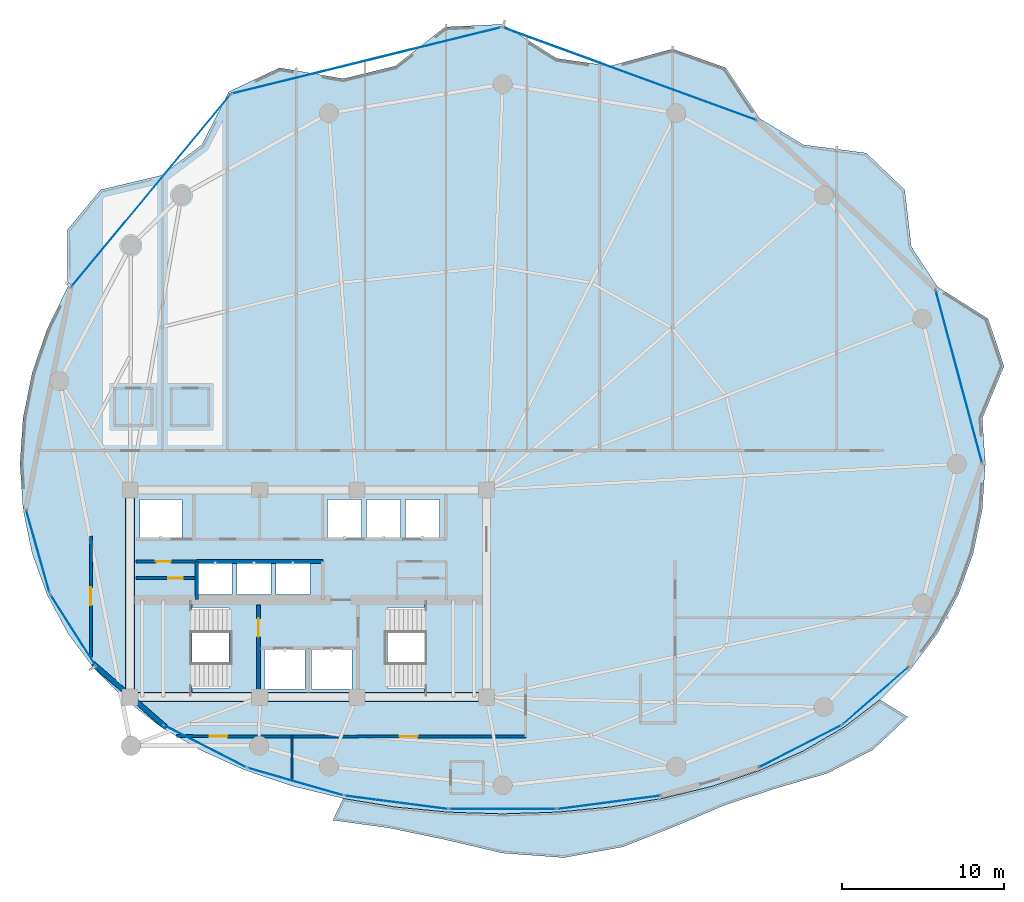
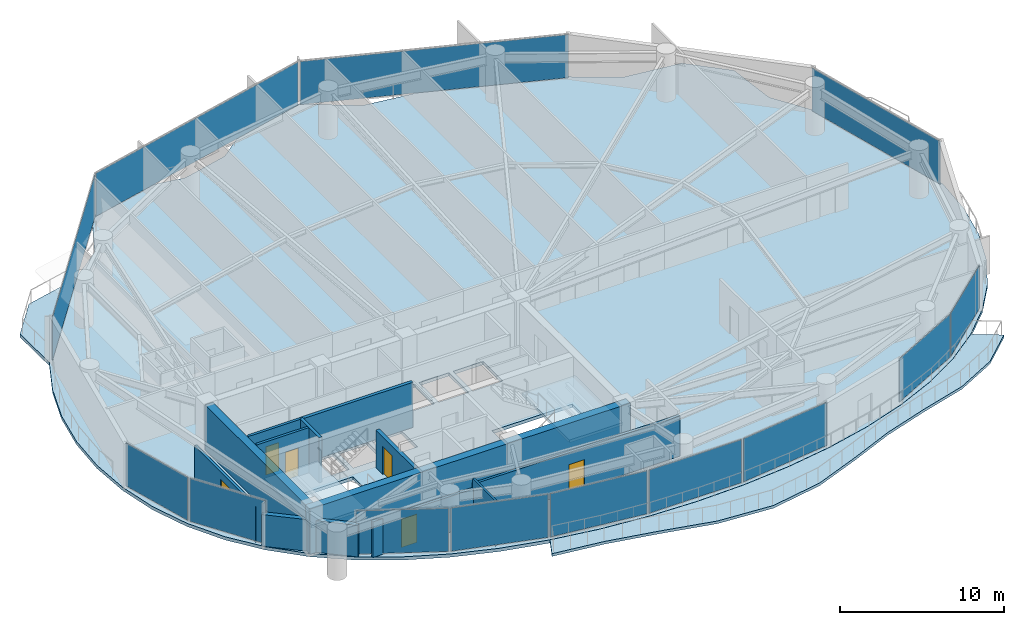
# One storey, part 22 of 28: 13 plates, 12 walls, 6 doors, 4 slabs, 6 openings, 15 elements without a shape of their own.
"""IFC4 building model written with IfcOpenShell, lengths in metres."""

from ifc_helpers import new_model, si_unit, direction, frame, frame_2d, origin, origin_2d, place, context, subcontext, project, spatial, polyline, rectangle, outline, extrude, material, layer, layer_set, type_object, element, fill, aggregate, save


model = new_model("IFC4")

# Units and contexts
model_context = context("Model", 3, precision=1e-05, world=origin(), true_north=direction((0.0, 1.0)))
body_context = subcontext(model_context, "Body", "Model", "MODEL_VIEW")
ifc_project = project(units=[si_unit("LENGTHUNIT", "METRE"), si_unit("AREAUNIT", "SQUARE_METRE"), si_unit("VOLUMEUNIT", "CUBIC_METRE"), si_unit("PLANEANGLEUNIT", "RADIAN"), si_unit("MASSUNIT", "GRAM", prefix="KILO")], contexts=[model_context])

# Site, building, storey
site_placement = place(None, origin())
site = spatial("IfcSite", under=ifc_project, at=site_placement, CompositionType="ELEMENT")
building_placement = place(site_placement, origin())
building = spatial("IfcBuilding", under=site, at=building_placement, Name="Kazevale Care Tower and Concert Hall", CompositionType="ELEMENT")
storey_placement = place(building_placement, frame((0.0, 0.0, 109.800048828125)))
storey = spatial("IfcBuildingStorey", under=building, at=storey_placement, Name="L28", CompositionType="ELEMENT", Elevation=109.800048828125)

# Curtain wall, plate
ifc_material_1 = material(Name="Aluminium 6063-T6 and Low-E Glass", Category="aluminium")
ifc_layer_1 = layer(ifc_material_1, 0.179931640625)
ifc_layer_set_1 = layer_set([ifc_layer_1], Name="Aluminium 6063-T6 and Low-E Glass")
curtain_wall_type_1 = type_object("IfcCurtainWallType", Name="Convex Checkerboard Finned Curtain Wall CW-2", PredefinedType="NOTDEFINED", material=ifc_layer_set_1)
curtain_wall_1_placement = place(storey_placement, origin())
curtain_wall_1 = element("IfcCurtainWall", 1, at=curtain_wall_1_placement, inside=storey, type_object=curtain_wall_type_1, Name="cw:L28:f14", PredefinedType="NOTDEFINED")
ifc_material_2 = material(Name="Low-E Laminated Glass", Category="glass")
ifc_layer_2 = layer(ifc_material_2, 0.028076171875)
ifc_layer_set_2 = layer_set([ifc_layer_2], Name="Low-E Laminated Glass")
plate_type_1 = type_object("IfcPlateType", Name="CW-2 Low-E Glazing Panel 28mm", PredefinedType="CURTAIN_PANEL", material=ifc_layer_set_2)
plate_1_placement = place(storey_placement, frame((23.285888671875, 54.87255859375, 0.074951171875), z_axis=(0.0, 0.0, 1.0), x_axis=(0.637984048061, 0.770049579196, 0.0)))
plate_1 = element("IfcPlate", 2, at=plate_1_placement, type_object=plate_type_1, Name="CW-2 panel 1.1", PredefinedType="CURTAIN_PANEL", context=body_context, shape_type="SweptSolid", body=[
    extrude(rectangle(XDim=15.3701171875, YDim=0.028076171875, at=origin_2d()), origin(), (0.0, 0.0, 1.0), 3.2099609375),
])
aggregate(curtain_wall_1, [plate_1])

curtain_wall_2_placement = place(storey_placement, origin())
curtain_wall_2 = element("IfcCurtainWall", 3, at=curtain_wall_2_placement, inside=storey, type_object=curtain_wall_type_1, Name="cw:L28:f16", PredefinedType="NOTDEFINED")
plate_2_placement = place(storey_placement, frame((52.839599609375, 62.08544921875, 0.074951171875), z_axis=(0.0, 0.0, 1.0), x_axis=(0.939283008641, -0.343143453498, 0.0)))
plate_2 = element("IfcPlate", 4, at=plate_2_placement, type_object=plate_type_1, Name="CW-2 panel 1.1", PredefinedType="CURTAIN_PANEL", context=body_context, shape_type="SweptSolid", body=[
    extrude(rectangle(XDim=16.634765625, YDim=0.028076171875, at=origin_2d()), origin(), (0.0, 0.0, 1.0), 3.2099609375),
])
aggregate(curtain_wall_2, [plate_2])

ifc_layer_3 = layer(ifc_material_1, 0.179931640625)
ifc_layer_set_3 = layer_set([ifc_layer_3], Name="Aluminium 6063-T6 and Low-E Glass")
curtain_wall_type_2 = type_object("IfcCurtainWallType", Name="Convex Recessed Sunroom Curtain Wall CW-3", PredefinedType="NOTDEFINED", material=ifc_layer_set_3)
curtain_wall_3_placement = place(storey_placement, origin())
curtain_wall_3 = element("IfcCurtainWall", 5, at=curtain_wall_3_placement, inside=storey, type_object=curtain_wall_type_2, Name="cw:L28:f15", PredefinedType="NOTDEFINED")
ifc_layer_4 = layer(ifc_material_2, 0.028076171875)
ifc_layer_set_4 = layer_set([ifc_layer_4], Name="Low-E Laminated Glass")
plate_type_2 = type_object("IfcPlateType", Name="CW-3 Low-E Glazing Panel 28mm", PredefinedType="CURTAIN_PANEL", material=ifc_layer_set_4)
plate_3_placement = place(storey_placement, frame((36.595947265625, 62.909423828125, 0.074951171875), z_axis=(0.0, 0.0, 1.0), x_axis=(0.970997657217, 0.239088999495, 0.0)))
plate_3 = element("IfcPlate", 6, at=plate_3_placement, type_object=plate_type_2, Name="CW-3 panel 1.1", PredefinedType="CURTAIN_PANEL", context=body_context, shape_type="SweptSolid", body=[
    extrude(rectangle(XDim=17.061279296875, YDim=0.028076171875, at=origin_2d()), origin(), (0.0, 0.0, 1.0), 3.2099609375),
])
aggregate(curtain_wall_3, [plate_3])

ifc_layer_5 = layer(ifc_material_1, 0.179931640625)
ifc_layer_set_5 = layer_set([ifc_layer_5], Name="Aluminium 6063-T6 and Low-E Glass")
curtain_wall_type_3 = type_object("IfcCurtainWallType", Name="Waist & Upper Residential Curtain Wall CW-4", PredefinedType="NOTDEFINED", material=ifc_layer_set_5)
curtain_wall_4_placement = place(storey_placement, origin())
curtain_wall_4 = element("IfcCurtainWall", 7, at=curtain_wall_4_placement, inside=storey, type_object=curtain_wall_type_3, Name="cw:L28:f11", PredefinedType="NOTDEFINED")
ifc_layer_6 = layer(ifc_material_2, 0.030029296875)
ifc_layer_set_6 = layer_set([ifc_layer_6], Name="Low-E Laminated Glass")
plate_type_3 = type_object("IfcPlateType", Name="CW-4 Low-E Glazing Panel 30mm", PredefinedType="CURTAIN_PANEL", material=ifc_layer_set_6)
plate_4_placement = place(storey_placement, frame((18.470458984375, 27.75244140625, 0.080078125), z_axis=(0.0, 0.0, 1.0), x_axis=(-0.537239193981, 0.843429930967, 0.0)))
plate_4 = element("IfcPlate", 8, at=plate_4_placement, type_object=plate_type_3, Name="CW-4 panel 1.1", PredefinedType="CURTAIN_PANEL", context=body_context, shape_type="SweptSolid", body=[
    extrude(rectangle(XDim=5.176513671875, YDim=0.030029296875, at=origin_2d()), origin(), (0.0, 0.0, 1.0), 3.199951171875),
])
aggregate(curtain_wall_4, [plate_4])

curtain_wall_5_placement = place(storey_placement, origin())
curtain_wall_5 = element("IfcCurtainWall", 9, at=curtain_wall_5_placement, inside=storey, type_object=curtain_wall_type_3, Name="cw:L28:f12", PredefinedType="NOTDEFINED")
plate_5_placement = place(storey_placement, frame((16.301513671875, 32.612548828125, 0.080078125), z_axis=(0.0, 0.0, 1.0), x_axis=(-0.271284948278, 0.962499078876, 0.0)))
plate_5 = element("IfcPlate", 10, at=plate_5_placement, type_object=plate_type_3, Name="CW-4 panel 1.1", PredefinedType="CURTAIN_PANEL", context=body_context, shape_type="SweptSolid", body=[
    extrude(rectangle(XDim=5.262451171875, YDim=0.030029296875, at=origin_2d()), origin(), (0.0, 0.0, 1.0), 3.199951171875),
])
aggregate(curtain_wall_5, [plate_5])

curtain_wall_6_placement = place(storey_placement, origin())
curtain_wall_6 = element("IfcCurtainWall", 11, at=curtain_wall_6_placement, inside=storey, type_object=curtain_wall_type_3, Name="cw:L28:f18", PredefinedType="NOTDEFINED")
plate_6_placement = place(storey_placement, frame((73.169921875, 43.401611328125, 0.080078125), z_axis=(0.0, 0.0, 1.0), x_axis=(0.259264848961, -0.965806263229, 0.0)))
plate_6 = element("IfcPlate", 12, at=plate_6_placement, type_object=plate_type_3, Name="CW-4 panel 1.1", PredefinedType="CURTAIN_PANEL", context=body_context, shape_type="SweptSolid", body=[
    extrude(rectangle(XDim=11.025390625, YDim=0.030029296875, at=origin_2d()), origin(), (0.0, 0.0, 1.0), 3.199951171875),
])
aggregate(curtain_wall_6, [plate_6])

ifc_layer_7 = layer(ifc_material_1, 0.179931640625)
ifc_layer_set_7 = layer_set([ifc_layer_7], Name="Aluminium 6063-T6 and Low-E Glass")
curtain_wall_type_4 = type_object("IfcCurtainWallType", Name="Sheltered Concave Balcony Curtain Wall CW-5", PredefinedType="NOTDEFINED", material=ifc_layer_set_7)
curtain_wall_7_placement = place(storey_placement, origin())
curtain_wall_7 = element("IfcCurtainWall", 13, at=curtain_wall_7_placement, inside=storey, type_object=curtain_wall_type_4, Name="cw:L28:f02", PredefinedType="NOTDEFINED")
ifc_layer_8 = layer(ifc_material_2, 0.02587890625)
ifc_layer_set_8 = layer_set([ifc_layer_8], Name="Low-E Laminated Glass")
plate_type_4 = type_object("IfcPlateType", Name="CW-5 Low-E Glazing Panel 26mm", PredefinedType="CURTAIN_PANEL", material=ifc_layer_set_8)
plate_7_placement = place(storey_placement, frame((68.033447265625, 23.699951171875, 0.074951171875), z_axis=(0.0, 0.0, 1.0), x_axis=(-0.753062779437, -0.657948668382, 0.0)))
plate_7 = element("IfcPlate", 14, at=plate_7_placement, type_object=plate_type_4, Name="CW-5 panel 1.1", PredefinedType="CURTAIN_PANEL", context=body_context, shape_type="SweptSolid", body=[
    extrude(rectangle(XDim=5.32763671875, YDim=0.02587890625, at=origin_2d()), origin(), (0.0, 0.0, 1.0), 3.2099609375),
])
aggregate(curtain_wall_7, [plate_7])

curtain_wall_8_placement = place(storey_placement, origin())
curtain_wall_8 = element("IfcCurtainWall", 15, at=curtain_wall_8_placement, inside=storey, type_object=curtain_wall_type_4, Name="cw:L28:f03", PredefinedType="NOTDEFINED")
plate_8_placement = place(storey_placement, frame((63.3798828125, 20.571533203125, 0.074951171875), z_axis=(0.0, 0.0, 1.0), x_axis=(-0.890126646051, -0.455713236575, 0.0)))
plate_8 = element("IfcPlate", 16, at=plate_8_placement, type_object=plate_type_4, Name="CW-5 panel 1.1", PredefinedType="CURTAIN_PANEL", context=body_context, shape_type="SweptSolid", body=[
    extrude(rectangle(XDim=5.671630859375, YDim=0.02587890625, at=origin_2d()), origin(), (0.0, 0.0, 1.0), 3.2099609375),
])
aggregate(curtain_wall_8, [plate_8])

curtain_wall_9_placement = place(storey_placement, origin())
curtain_wall_9 = element("IfcCurtainWall", 17, at=curtain_wall_9_placement, inside=storey, type_object=curtain_wall_type_4, Name="cw:L28:f05", PredefinedType="NOTDEFINED")
plate_9_placement = place(storey_placement, frame((51.5654296875, 17.1044921875, 0.074951171875), z_axis=(0.0, 0.0, 1.0), x_axis=(-0.991685519364, -0.12868500567, 0.0)))
plate_9 = element("IfcPlate", 18, at=plate_9_placement, type_object=plate_type_4, Name="CW-5 panel 1.1", PredefinedType="CURTAIN_PANEL", context=body_context, shape_type="SweptSolid", body=[
    extrude(rectangle(XDim=6.38525390625, YDim=0.02587890625, at=origin_2d()), origin(), (0.0, 0.0, 1.0), 3.2099609375),
])
aggregate(curtain_wall_9, [plate_9])

curtain_wall_10_placement = place(storey_placement, origin())
curtain_wall_10 = element("IfcCurtainWall", 19, at=curtain_wall_10_placement, inside=storey, type_object=curtain_wall_type_4, Name="cw:L28:f06", PredefinedType="NOTDEFINED")
plate_10_placement = place(storey_placement, frame((45.0, 16.68408203125, 0.074951171875), z_axis=(0.0, 0.0, 1.0), x_axis=(-1.0, 0.0, 0.0)))
plate_10 = element("IfcPlate", 20, at=plate_10_placement, type_object=plate_type_4, Name="CW-5 panel 1.1", PredefinedType="CURTAIN_PANEL", context=body_context, shape_type="SweptSolid", body=[
    extrude(rectangle(XDim=6.5, YDim=0.02587890625, at=origin_2d()), origin(), (0.0, 0.0, 1.0), 3.2099609375),
])
aggregate(curtain_wall_10, [plate_10])

curtain_wall_11_placement = place(storey_placement, origin())
curtain_wall_11 = element("IfcCurtainWall", 21, at=curtain_wall_11_placement, inside=storey, type_object=curtain_wall_type_4, Name="cw:L28:f07", PredefinedType="NOTDEFINED")
plate_11_placement = place(storey_placement, frame((38.4345703125, 17.1044921875, 0.074951171875), z_axis=(0.0, 0.0, 1.0), x_axis=(-0.991685519364, 0.12868500567, 0.0)))
plate_11 = element("IfcPlate", 22, at=plate_11_placement, type_object=plate_type_4, Name="CW-5 panel 1.1", PredefinedType="CURTAIN_PANEL", context=body_context, shape_type="SweptSolid", body=[
    extrude(rectangle(XDim=6.38525390625, YDim=0.02587890625, at=origin_2d()), origin(), (0.0, 0.0, 1.0), 3.2099609375),
])
aggregate(curtain_wall_11, [plate_11])

curtain_wall_12_placement = place(storey_placement, origin())
curtain_wall_12 = element("IfcCurtainWall", 23, at=curtain_wall_12_placement, inside=storey, type_object=curtain_wall_type_4, Name="cw:L28:f08", PredefinedType="NOTDEFINED")
plate_12_placement = place(storey_placement, frame((32.202392578125, 18.385009765625, 0.074951171875), z_axis=(0.0, 0.0, 1.0), x_axis=(-0.961074102639, 0.276290733172, 0.0)))
plate_12 = element("IfcPlate", 24, at=plate_12_placement, type_object=plate_type_4, Name="CW-5 panel 1.1", PredefinedType="CURTAIN_PANEL", context=body_context, shape_type="SweptSolid", body=[
    extrude(rectangle(XDim=6.075439453125, YDim=0.02587890625, at=origin_2d()), origin(), (0.0, 0.0, 1.0), 3.2099609375),
])
aggregate(curtain_wall_12, [plate_12])

curtain_wall_13_placement = place(storey_placement, origin())
curtain_wall_13 = element("IfcCurtainWall", 25, at=curtain_wall_13_placement, inside=storey, type_object=curtain_wall_type_4, Name="cw:L28:f09", PredefinedType="NOTDEFINED")
plate_13_placement = place(storey_placement, frame((26.6201171875, 20.571533203125, 0.074951171875), z_axis=(0.0, 0.0, 1.0), x_axis=(-0.890126646051, 0.455713236575, 0.0)))
plate_13 = element("IfcPlate", 26, at=plate_13_placement, type_object=plate_type_4, Name="CW-5 panel 1.1", PredefinedType="CURTAIN_PANEL", context=body_context, shape_type="SweptSolid", body=[
    extrude(rectangle(XDim=5.671630859375, YDim=0.02587890625, at=origin_2d()), origin(), (0.0, 0.0, 1.0), 3.2099609375),
])
aggregate(curtain_wall_13, [plate_13])

# Slab
ifc_material_3 = material(Name="Concrete C40", Category="concrete")
ifc_layer_9 = layer(ifc_material_3, 0.199951171875)
ifc_layer_set_9 = layer_set([ifc_layer_9], Name="Concrete C40")
slab_type_1 = type_object("IfcSlabType", Name="Sinusoidal Concave Balcony Slab 200", PredefinedType="USERDEFINED", material=ifc_layer_set_9)
slab_1_placement = place(storey_placement, frame((0.0, 0.0, -0.199951171875)))
element("IfcSlab", 27, at=slab_1_placement, inside=storey, type_object=slab_type_1, Name="slab:L28:bal", ObjectType="BALCONY", PredefinedType="USERDEFINED", context=body_context, shape_type="SweptSolid", body=[
    extrude(outline(polyline([(70.01611328125, 22.373779296875), (67.86767578125, 20.36279296875), (65.04345703125, 18.8974609375), (61.798583984375, 17.95068359375), (58.68994140625, 16.928466796875), (55.659423828125, 15.633544921875), (52.4033203125, 14.35205078125), (48.772705078125, 13.693603515625), (45.0, 13.97412109375), (41.401611328125, 14.816162109375), (37.965576171875, 15.530517578125), (34.51708984375, 16.00390625), (35.155517578125, 17.343505859375), (35.15673828125, 17.34326171875), (38.368408203125, 16.81396484375), (41.6630859375, 16.49951171875), (45.0, 16.39501953125), (48.3369140625, 16.49951171875), (51.631591796875, 16.81396484375), (54.84326171875, 17.34326171875), (57.93115234375, 18.09375), (60.8564453125, 19.07275390625), (63.582275390625, 20.28759765625), (66.07470703125, 21.74365234375), (68.302001953125, 23.442626953125), (68.302978515625, 23.44384765625), (70.01611328125, 22.373779296875)])), origin(), (0.0, 0.0, 1.0), 0.199951171875),
])

# Stair, slab
stair_type = type_object("IfcStairType", Name="Exit Stair Assembly ST1-Z2", PredefinedType="HALF_TURN_STAIR", material=ifc_material_3)
stair_1_placement = place(storey_placement, origin())
stair_1 = element("IfcStair", 28, at=stair_1_placement, inside=storey, type_object=stair_type, Name="stair:L28:ST1", PredefinedType="HALF_TURN_STAIR")
ifc_layer_10 = layer(ifc_material_3, 0.199951171875)
ifc_layer_set_10 = layer_set([ifc_layer_10], Name="Concrete C40")
slab_type_2 = type_object("IfcSlabType", Name="Stair Half-Landing Slab ST1-Z2", PredefinedType="LANDING", material=ifc_layer_set_10)
slab_2_placement = place(storey_placement, frame((0.0, 0.0, 1.599853515625)))
slab_2 = element("IfcSlab", 29, at=slab_2_placement, type_object=slab_type_2, Name="ST1-Z2 landing 1", PredefinedType="LANDING", context=body_context, shape_type="SweptSolid", body=[
    extrude(outline(polyline([(22.050048828125, 23.699951171875), (25.81005859375, 23.699951171875), (25.81005859375, 29.5), (22.050048828125, 29.5), (22.050048828125, 23.699951171875)])), origin(), (0.0, 0.0, 1.0), 0.2001953125),
])
aggregate(stair_1, [slab_2])

stair_2_placement = place(storey_placement, origin())
stair_2 = element("IfcStair", 30, at=stair_2_placement, inside=storey, type_object=stair_type, Name="stair:L28:ST2", PredefinedType="HALF_TURN_STAIR")
slab_3_placement = place(storey_placement, frame((0.0, 0.0, 1.599853515625)))
slab_3 = element("IfcSlab", 31, at=slab_3_placement, type_object=slab_type_2, Name="ST1-Z2 landing 1", PredefinedType="LANDING", context=body_context, shape_type="SweptSolid", body=[
    extrude(outline(polyline([(40.18994140625, 23.699951171875), (43.949951171875, 23.699951171875), (43.949951171875, 29.5), (40.18994140625, 29.5), (40.18994140625, 23.699951171875)])), origin(), (0.0, 0.0, 1.0), 0.2001953125),
])
aggregate(stair_2, [slab_3])

# Slab
ifc_layer_11 = layer(ifc_material_3, 0.239990234375)
ifc_layer_set_11 = layer_set([ifc_layer_11], Name="Concrete C40")
slab_type_3 = type_object("IfcSlabType", Name="Tower Typical Floor Slab 240", PredefinedType="FLOOR", material=ifc_layer_set_11)
slab_4_placement = place(storey_placement, frame((0.0, 0.0, -0.239990234375)))
element("IfcSlab", 32, at=slab_4_placement, inside=storey, type_object=slab_type_3, Name="slab:L28:tw:1", PredefinedType="FLOOR", context=body_context, shape_type="SweptSolid", body=[
    extrude(outline(polyline([(74.800048828125, 38.0), (74.612548828125, 40.821533203125), (75.9541015625, 44.04150390625), (74.96826171875, 46.967041015625), (71.848876953125, 48.933837890625), (70.232421875, 51.4072265625), (69.822998046875, 54.927734375), (67.45068359375, 57.197998046875), (63.580078125, 57.7021484375), (60.8544921875, 59.33740234375), (58.77587890625, 62.461181640625), (55.486328125, 63.62646484375), (51.631103515625, 62.568115234375), (48.33642578125, 63.04150390625), (45.0, 65.14990234375), (41.445068359375, 64.979248046875), (38.368896484375, 62.568115234375), (35.15771484375, 61.785888671875), (31.22412109375, 62.461181640625), (28.10791015625, 60.988525390625), (26.419921875, 57.7021484375), (23.92822265625, 55.819091796875), (20.177001953125, 54.927734375), (18.116455078125, 52.444580078125), (18.151123046875, 48.933837890625), (16.872314453125, 46.322998046875), (15.947021484375, 43.607421875), (15.387451171875, 40.821533203125), (15.199951171875, 38.0), (15.387451171875, 35.197265625), (15.947021484375, 32.490234375), (16.872314453125, 29.92919921875), (18.151123046875, 27.551513671875), (19.767578125, 25.384521484375), (21.701416015625, 23.446533203125), (23.92822265625, 21.747802734375), (26.419921875, 20.2919921875), (29.1455078125, 19.077392578125), (32.0703125, 18.098388671875), (35.15771484375, 17.34814453125), (38.368896484375, 16.819091796875), (41.66357421875, 16.50439453125), (45.0, 16.39990234375), (48.33642578125, 16.50439453125), (51.631103515625, 16.819091796875), (54.84228515625, 17.34814453125), (57.9296875, 18.098388671875), (60.8544921875, 19.077392578125), (63.580078125, 20.2919921875), (66.07177734375, 21.747802734375), (68.298583984375, 23.446533203125), (70.232421875, 25.384521484375), (71.848876953125, 27.551513671875), (73.127685546875, 29.92919921875), (74.052978515625, 32.490234375), (74.612548828125, 35.197265625), (74.800048828125, 38.0)]), holes=[polyline([(22.449951171875, 24.14990234375), (28.110107421875, 24.14990234375), (28.110107421875, 29.14990234375), (22.449951171875, 29.14990234375), (22.449951171875, 24.14990234375)]), polyline([(37.889892578125, 24.14990234375), (43.550048828125, 24.14990234375), (43.550048828125, 29.14990234375), (37.889892578125, 29.14990234375), (37.889892578125, 24.14990234375)]), polyline([(30.300048828125, 24.10009765625), (32.800048828125, 24.10009765625), (32.800048828125, 26.60009765625), (30.300048828125, 26.60009765625), (30.300048828125, 24.10009765625)]), polyline([(33.199951171875, 24.10009765625), (35.699951171875, 24.10009765625), (35.699951171875, 26.60009765625), (33.199951171875, 26.60009765625), (33.199951171875, 24.10009765625)]), polyline([(22.60009765625, 33.39990234375), (25.199951171875, 33.39990234375), (25.199951171875, 35.800048828125), (22.60009765625, 35.800048828125), (22.60009765625, 33.39990234375)]), polyline([(34.199951171875, 33.39990234375), (36.300048828125, 33.39990234375), (36.300048828125, 35.800048828125), (34.199951171875, 35.800048828125), (34.199951171875, 33.39990234375)]), polyline([(36.60009765625, 33.39990234375), (38.699951171875, 33.39990234375), (38.699951171875, 35.800048828125), (36.60009765625, 35.800048828125), (36.60009765625, 33.39990234375)]), polyline([(39.0, 33.39990234375), (41.10009765625, 33.39990234375), (41.10009765625, 35.800048828125), (39.0, 35.800048828125), (39.0, 33.39990234375)]), polyline([(26.199951171875, 29.949951171875), (28.300048828125, 29.949951171875), (28.300048828125, 31.949951171875), (26.199951171875, 31.949951171875), (26.199951171875, 29.949951171875)]), polyline([(28.60009765625, 29.949951171875), (30.699951171875, 29.949951171875), (30.699951171875, 31.949951171875), (28.60009765625, 31.949951171875), (28.60009765625, 29.949951171875)]), polyline([(31.0, 29.949951171875), (33.10009765625, 29.949951171875), (33.10009765625, 31.949951171875), (31.0, 31.949951171875), (31.0, 29.949951171875)])]), origin(), (0.0, 0.0, 1.0), 0.239990234375),
])

# Walls
ifc_material_4 = material(Name="Acoustic Gypsum on Steel Stud", Category="steel")
ifc_layer_12 = layer(ifc_material_4, 0.139892578125)
ifc_layer_set_12 = layer_set([ifc_layer_12], Name="Acoustic Gypsum on Steel Stud")
wall_type_1 = type_object("IfcWallType", Name="Acoustic Care & Suite Partition 140", PredefinedType="PARTITIONING", material=ifc_layer_set_12)
wall_1_placement = place(storey_placement, frame((32.0, 21.205078125, 0.0), z_axis=(0.0, 0.0, 1.0), x_axis=(0.0, -1.0, 0.0)))
element("IfcWall", 33, at=wall_1_placement, inside=storey, type_object=wall_type_1, Name="wall:L28:auto_031", PredefinedType="PARTITIONING", context=body_context, shape_type="SweptSolid", body=[
    extrude(rectangle(XDim=2.751953125, YDim=0.139892578125, at=frame_2d((1.3759765625, 0.0))), origin(), (0.0, 0.0, 1.0), 3.35986328125),
])
ifc_material_5 = material(Name="Concrete C60", Category="concrete")
ifc_layer_13 = layer(ifc_material_5, 0.550048828125)
ifc_layer_set_13 = layer_set([ifc_layer_13], Name="Concrete C60")
wall_type_2 = type_object("IfcWallType", Name="Core Shear Wall 550 C60", PredefinedType="SHEAR", material=ifc_layer_set_13)
wall_2_placement = place(storey_placement, frame((21.72509765625, 23.60009765625, 0.0), z_axis=(0.0, 0.0, 1.0), x_axis=(1.0, 0.0, 0.0)))
element("IfcWall", 34, at=wall_2_placement, inside=storey, type_object=wall_type_2, Name="wall:L28:core:S", PredefinedType="SHEAR", context=body_context, shape_type="SweptSolid", body=[
    extrude(rectangle(XDim=22.5498046875, YDim=0.550048828125, at=frame_2d((11.27490234375, 0.0))), origin(), (0.0, 0.0, 1.0), 3.35986328125),
])
wall_3_placement = place(storey_placement, frame((22.0, 23.875, 0.0), z_axis=(0.0, 0.0, 1.0), x_axis=(0.0, 1.0, 0.0)))
element("IfcWall", 35, at=wall_3_placement, inside=storey, type_object=wall_type_2, Name="wall:L28:core:W", PredefinedType="SHEAR", context=body_context, shape_type="SweptSolid", body=[
    extrude(rectangle(XDim=12.25, YDim=0.550048828125, at=frame_2d((6.125, 0.0))), origin(), (0.0, 0.0, 1.0), 3.35986328125),
])
ifc_layer_14 = layer(ifc_material_3, 0.219970703125)
ifc_layer_set_14 = layer_set([ifc_layer_14], Name="Concrete C40")
wall_type_3 = type_object("IfcWallType", Name="Elevator Hoistway Shaft Wall 220", PredefinedType="SOLIDWALL", material=ifc_layer_set_14)
wall_4_placement = place(storey_placement, frame((26.10009765625, 29.6201171875, 0.0), z_axis=(0.0, 0.0, 1.0), x_axis=(0.0, 1.0, 0.0)))
element("IfcWall", 36, at=wall_4_placement, inside=storey, type_object=wall_type_3, Name="wall:L28:c_ph_w", PredefinedType="SOLIDWALL", context=body_context, shape_type="SweptSolid", body=[
    extrude(rectangle(XDim=2.35986328125, YDim=0.219970703125, at=frame_2d((1.179931640625, 0.0))), origin(), (0.0, 0.0, 1.0), 3.35986328125),
])
wall_5_placement = place(storey_placement, frame((26.10009765625, 31.97998046875, 0.0), z_axis=(0.0, 0.0, 1.0), x_axis=(1.0, 0.0, 0.0)))
element("IfcWall", 37, at=wall_5_placement, inside=storey, type_object=wall_type_3, Name="wall:L28:c_ph_n", PredefinedType="SOLIDWALL", context=body_context, shape_type="SweptSolid", body=[
    extrude(rectangle(XDim=7.7998046875, YDim=0.219970703125, at=frame_2d((3.89990234375, 0.0))), origin(), (0.0, 0.0, 1.0), 3.35986328125),
])

# Wall, opening, door
ifc_material_6 = material(Name="Concrete C40 and Acoustic Gypsum", Category="concrete")
ifc_layer_15 = layer(ifc_material_6, 0.179931640625)
ifc_layer_set_15 = layer_set([ifc_layer_15], Name="Concrete C40 and Acoustic Gypsum")
wall_type_4 = type_object("IfcWallType", Name="Fire-Rated Corridor & Party Wall 180", PredefinedType="PARTITIONING", material=ifc_layer_set_15)
wall_6_placement = place(storey_placement, frame((22.35009765625, 30.949951171875, 0.0), z_axis=(0.0, 0.0, 1.0), x_axis=(1.0, 0.0, 0.0)))
wall_6 = element("IfcWall", 38, at=wall_6_placement, inside=storey, type_object=wall_type_4, Name="wall:L28:kc_wm", PredefinedType="PARTITIONING", context=body_context, shape_type="SweptSolid", body=[
    extrude(rectangle(XDim=3.75, YDim=0.179931640625, at=frame_2d((1.875, 0.0))), origin(), (0.0, 0.0, 1.0), 3.35986328125),
])
opening_1_placement = place(wall_6_placement, frame((1.988037109375, 0.0, 0.0)))
opening_1 = element("IfcOpeningElement", 39, at=opening_1_placement, cuts=wall_6, Name="Opening ID-900", PredefinedType="OPENING", context=body_context, shape_type="SweptSolid", body=[
    extrude(rectangle(XDim=0.919921875, YDim=2.10009765625, at=frame_2d((0.4599609375, 1.050048828125))), frame((0.0, 0.099853515625, 0.0), z_axis=(0.0, -1.0, 0.0), x_axis=(1.0, 0.0, 0.0)), (0.0, 0.0, 1.0), 0.199951171875),
])
ifc_material_7 = material(Name="Oak Timber Fire Leaf", Category="wood")
door_type_1 = type_object("IfcDoorType", Name="Bathroom & Service Door 920x2100", OperationType="NOTDEFINED", PredefinedType="DOOR", material=ifc_material_7)
door_1_placement = place(opening_1_placement, origin())
door_1 = element("IfcDoor", 40, at=door_1_placement, inside=storey, type_object=door_type_1, Name="door:L28:d_kcwb", OperationType="SINGLE_SWING_RIGHT", OverallHeight=2.10009765625, OverallWidth=0.919921875, PredefinedType="DOOR", context=body_context, shape_type="SweptSolid", body=[
    extrude(rectangle(XDim=0.919921875, YDim=2.10009765625, at=frame_2d((0.4599609375, 1.050048828125))), frame((0.0, 0.02490234375, 0.0), z_axis=(0.0, -1.0, 0.0), x_axis=(1.0, 0.0, 0.0)), (0.0, 0.0, 1.0), 0.050048828125),
])
fill(opening_1, door_1)

wall_7_placement = place(storey_placement, frame((22.35009765625, 31.97998046875, 0.0), z_axis=(0.0, 0.0, 1.0), x_axis=(1.0, 0.0, 0.0)))
wall_7 = element("IfcWall", 41, at=wall_7_placement, inside=storey, type_object=wall_type_4, Name="wall:L28:kc_wn", PredefinedType="PARTITIONING", context=body_context, shape_type="SweptSolid", body=[
    extrude(rectangle(XDim=3.75, YDim=0.179931640625, at=frame_2d((1.875, 0.0))), origin(), (0.0, 0.0, 1.0), 3.35986328125),
])
opening_2_placement = place(wall_7_placement, frame((1.238037109375, 0.0, 0.0)))
opening_2 = element("IfcOpeningElement", 42, at=opening_2_placement, cuts=wall_7, Name="Opening ID-900", PredefinedType="OPENING", context=body_context, shape_type="SweptSolid", body=[
    extrude(rectangle(XDim=0.919921875, YDim=2.10009765625, at=frame_2d((0.4599609375, 1.050048828125))), frame((0.0, 0.099853515625, 0.0), z_axis=(0.0, -1.0, 0.0), x_axis=(1.0, 0.0, 0.0)), (0.0, 0.0, 1.0), 0.199951171875),
])
door_2_placement = place(opening_2_placement, origin())
door_2 = element("IfcDoor", 43, at=door_2_placement, inside=storey, type_object=door_type_1, Name="door:L28:d_kcwt", OperationType="SINGLE_SWING_LEFT", OverallHeight=2.10009765625, OverallWidth=0.919921875, PredefinedType="DOOR", context=body_context, shape_type="SweptSolid", body=[
    extrude(rectangle(XDim=0.919921875, YDim=2.10009765625, at=frame_2d((0.4599609375, 1.050048828125))), frame((0.0, 0.02490234375, 0.0), z_axis=(0.0, -1.0, 0.0), x_axis=(1.0, 0.0, 0.0)), (0.0, 0.0, 1.0), 0.050048828125),
])
fill(opening_2, door_2)

wall_8_placement = place(storey_placement, frame((32.06494140625, 21.175048828125, 0.0), z_axis=(0.0, 0.0, 1.0), x_axis=(-0.999996512042, 0.002641193551, 0.0)))
wall_8 = element("IfcWall", 44, at=wall_8_placement, inside=storey, type_object=wall_type_4, Name="wall:L28:auto_017", PredefinedType="PARTITIONING", context=body_context, shape_type="SweptSolid", body=[
    extrude(rectangle(XDim=7.2099609375, YDim=0.179931640625, at=frame_2d((3.60498046875, 0.0))), origin(), (0.0, 0.0, 1.0), 2.656982421875),
])
opening_3_placement = place(wall_8_placement, frame((4.054931640625, 0.0, 0.0)))
opening_3 = element("IfcOpeningElement", 45, at=opening_3_placement, cuts=wall_8, Name="Opening ID-1100", PredefinedType="OPENING", context=body_context, shape_type="SweptSolid", body=[
    extrude(rectangle(XDim=1.10009765625, YDim=2.10009765625, at=frame_2d((0.550048828125, 1.050048828125))), frame((0.0, 0.099853515625, 0.0), z_axis=(0.0, -1.0, 0.0), x_axis=(1.0, 0.0, 0.0)), (0.0, 0.0, 1.0), 0.199951171875),
])
door_type_2 = type_object("IfcDoorType", Name="Care Bedroom Accessible Door 1100x2100", OperationType="NOTDEFINED", PredefinedType="DOOR", material=ifc_material_7)
door_3_placement = place(opening_3_placement, origin())
door_3 = element("IfcDoor", 46, at=door_3_placement, inside=storey, type_object=door_type_2, Name="door:L28:ad_017", OperationType="SINGLE_SWING_LEFT", OverallHeight=2.10009765625, OverallWidth=1.10009765625, PredefinedType="DOOR", context=body_context, shape_type="SweptSolid", body=[
    extrude(rectangle(XDim=1.10009765625, YDim=2.10009765625, at=frame_2d((0.550048828125, 1.050048828125))), frame((0.0, 0.02490234375, 0.0), z_axis=(0.0, -1.0, 0.0), x_axis=(1.0, 0.0, 0.0)), (0.0, 0.0, 1.0), 0.050048828125),
])
fill(opening_3, door_3)

wall_9_placement = place(storey_placement, frame((46.455078125, 21.175048828125, 0.0), z_axis=(0.0, 0.0, 1.0), x_axis=(-1.0, 0.0, 0.0)))
wall_9 = element("IfcWall", 47, at=wall_9_placement, inside=storey, type_object=wall_type_4, Name="wall:L28:auto_018", PredefinedType="PARTITIONING", context=body_context, shape_type="SweptSolid", body=[
    extrude(rectangle(XDim=14.52001953125, YDim=0.179931640625, at=frame_2d((7.260009765625, 0.0))), origin(), (0.0, 0.0, 1.0), 2.995849609375),
])
opening_4_placement = place(wall_9_placement, frame((6.7099609375, 0.0, 0.0)))
opening_4 = element("IfcOpeningElement", 48, at=opening_4_placement, cuts=wall_9, Name="Opening ID-1100", PredefinedType="OPENING", context=body_context, shape_type="SweptSolid", body=[
    extrude(rectangle(XDim=1.10009765625, YDim=2.10009765625, at=frame_2d((0.550048828125, 1.050048828125))), frame((0.0, 0.099853515625, 0.0), z_axis=(0.0, -1.0, 0.0), x_axis=(1.0, 0.0, 0.0)), (0.0, 0.0, 1.0), 0.199951171875),
])
door_4_placement = place(opening_4_placement, origin())
door_4 = element("IfcDoor", 49, at=door_4_placement, inside=storey, type_object=door_type_2, Name="door:L28:ad_018", OperationType="SINGLE_SWING_LEFT", OverallHeight=2.10009765625, OverallWidth=1.10009765625, PredefinedType="DOOR", context=body_context, shape_type="SweptSolid", body=[
    extrude(rectangle(XDim=1.10009765625, YDim=2.10009765625, at=frame_2d((0.550048828125, 1.050048828125))), frame((0.0, 0.02490234375, 0.0), z_axis=(0.0, -1.0, 0.0), x_axis=(1.0, 0.0, 0.0)), (0.0, 0.0, 1.0), 0.050048828125),
])
fill(opening_4, door_4)

wall_10_placement = place(storey_placement, frame((19.574951171875, 26.0849609375, 0.0), z_axis=(0.0, 0.0, 1.0), x_axis=(0.0, 1.0, 0.0)))
wall_10 = element("IfcWall", 50, at=wall_10_placement, inside=storey, type_object=wall_type_4, Name="wall:L28:auto_019", PredefinedType="PARTITIONING", context=body_context, shape_type="SweptSolid", body=[
    extrude(rectangle(XDim=7.47998046875, YDim=0.179931640625, at=frame_2d((3.739990234375, 0.0))), origin(), (0.0, 0.0, 1.0), 2.656982421875),
])
opening_5_placement = place(wall_10_placement, frame((3.18994140625, 0.0, 0.0)))
opening_5 = element("IfcOpeningElement", 51, at=opening_5_placement, cuts=wall_10, Name="Opening ID-1100", PredefinedType="OPENING", context=body_context, shape_type="SweptSolid", body=[
    extrude(rectangle(XDim=1.10009765625, YDim=2.10009765625, at=frame_2d((0.550048828125, 1.050048828125))), frame((0.0, 0.099853515625, 0.0), z_axis=(0.0, -1.0, 0.0), x_axis=(1.0, 0.0, 0.0)), (0.0, 0.0, 1.0), 0.199951171875),
])
door_5_placement = place(opening_5_placement, origin())
door_5 = element("IfcDoor", 52, at=door_5_placement, inside=storey, type_object=door_type_2, Name="door:L28:ad_019", OperationType="SINGLE_SWING_LEFT", OverallHeight=2.10009765625, OverallWidth=1.10009765625, PredefinedType="DOOR", context=body_context, shape_type="SweptSolid", body=[
    extrude(rectangle(XDim=1.10009765625, YDim=2.10009765625, at=frame_2d((0.550048828125, 1.050048828125))), frame((0.0, 0.02490234375, 0.0), z_axis=(0.0, -1.0, 0.0), x_axis=(1.0, 0.0, 0.0)), (0.0, 0.0, 1.0), 0.050048828125),
])
fill(opening_5, door_5)

ifc_layer_16 = layer(ifc_material_3, 0.25)
ifc_layer_set_16 = layer_set([ifc_layer_16], Name="Concrete C40")
wall_type_5 = type_object("IfcWallType", Name="Pressurized Stair Shaft Wall 250", PredefinedType="SOLIDWALL", material=ifc_layer_set_16)
wall_11_placement = place(storey_placement, frame((29.919921875, 23.89990234375, 0.0), z_axis=(0.0, 0.0, 1.0), x_axis=(0.0, 1.0, 0.0)))
wall_11 = element("IfcWall", 53, at=wall_11_placement, inside=storey, type_object=wall_type_5, Name="wall:L28:c_st1_e", PredefinedType="SOLIDWALL", context=body_context, shape_type="SweptSolid", body=[
    extrude(rectangle(XDim=5.400146484375, YDim=0.25, at=frame_2d((2.7001953125, 0.0))), origin(), (0.0, 0.0, 1.0), 2.805908203125),
])
opening_6_placement = place(wall_11_placement, frame((3.4208984375, 0.0, 0.0)))
opening_6 = element("IfcOpeningElement", 54, at=opening_6_placement, cuts=wall_11, Name="Opening FD-90", PredefinedType="OPENING", context=body_context, shape_type="SweptSolid", body=[
    extrude(rectangle(XDim=1.14990234375, YDim=2.10009765625, at=frame_2d((0.574951171875, 1.050048828125))), frame((0.0, 0.135009765625, 0.0), z_axis=(0.0, -1.0, 0.0), x_axis=(1.0, 0.0, 0.0)), (0.0, 0.0, 1.0), 0.27001953125),
])
ifc_material_8 = material(Name="Steel ASTM A572 Gr 50", Category="steel")
door_type_3 = type_object("IfcDoorType", Name="Pressurized Stair & Lobby Fire Door 1150x2100", OperationType="NOTDEFINED", PredefinedType="DOOR", material=ifc_material_8)
door_6_placement = place(opening_6_placement, origin())
door_6 = element("IfcDoor", 55, at=door_6_placement, inside=storey, type_object=door_type_3, Name="door:L28:st1", OperationType="SINGLE_SWING_RIGHT", OverallHeight=2.10009765625, OverallWidth=1.14990234375, PredefinedType="DOOR", context=body_context, shape_type="SweptSolid", body=[
    extrude(rectangle(XDim=1.14990234375, YDim=2.10009765625, at=frame_2d((0.574951171875, 1.050048828125))), frame((0.0, 0.02490234375, 0.0), z_axis=(0.0, -1.0, 0.0), x_axis=(1.0, 0.0, 0.0)), (0.0, 0.0, 1.0), 0.050048828125),
])
fill(opening_6, door_6)

# Wall
ifc_material_9 = material(Name="Concrete C40 with Honed Limestone Cladding", Category="masonry")
ifc_layer_17 = layer(ifc_material_9, 0.320068359375)
ifc_layer_set_17 = layer_set([ifc_layer_17], Name="Concrete C40 with Honed Limestone Cladding")
wall_type_6 = type_object("IfcWallType", Name="Tower Honed Limestone Spandrel Wall 320", PredefinedType="STANDARD", material=ifc_layer_set_17)
wall_12_placement = place(storey_placement, frame((24.22509765625, 21.72705078125, 0.0), z_axis=(0.0, 0.0, 1.0), x_axis=(-0.753105964003, 0.657899237713, 0.0)))
element("IfcWall", 56, at=wall_12_placement, inside=storey, type_object=wall_type_6, Name="wall:cw:L28:f10", PredefinedType="STANDARD", context=body_context, shape_type="SweptSolid", body=[
    extrude(rectangle(XDim=5.998046875, YDim=0.320068359375, at=frame_2d((2.9990234375, 0.0))), origin(), (0.0, 0.0, 1.0), 2.349853515625),
])

save(model, "model.ifc")
